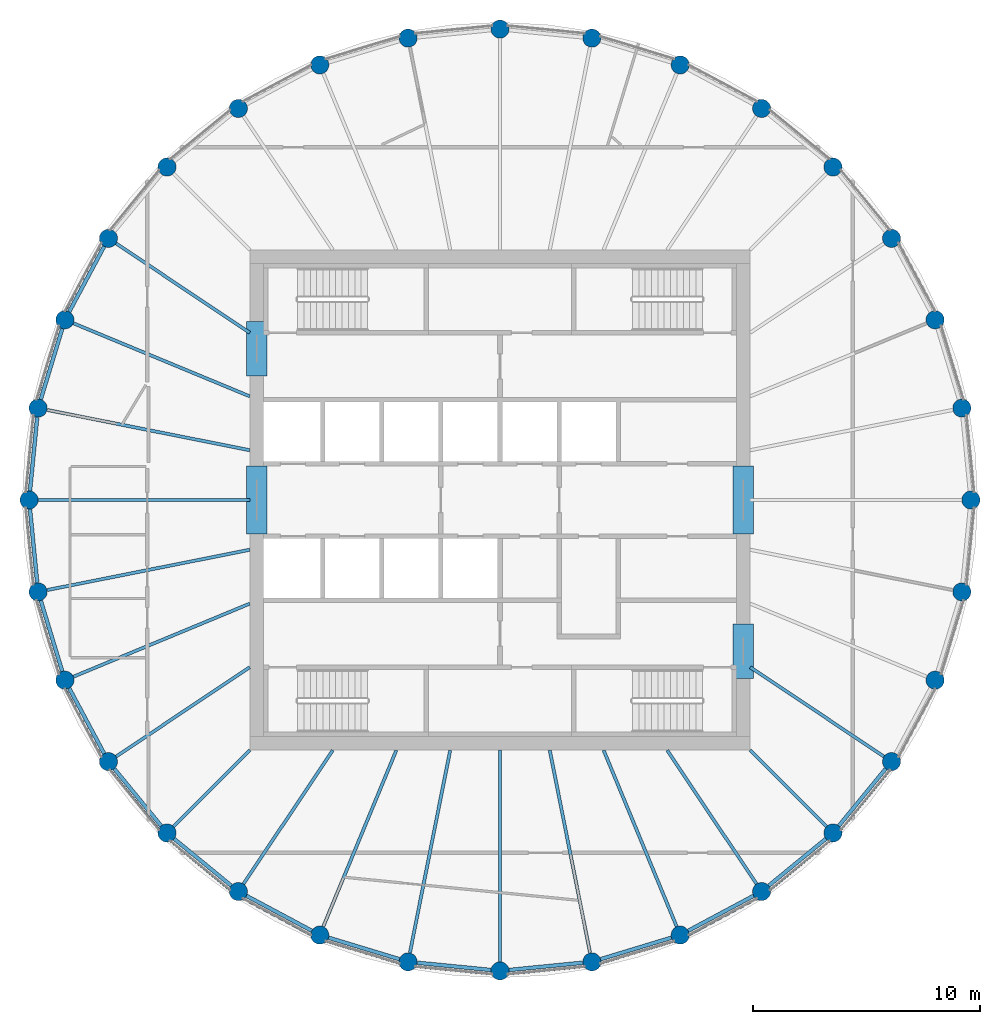
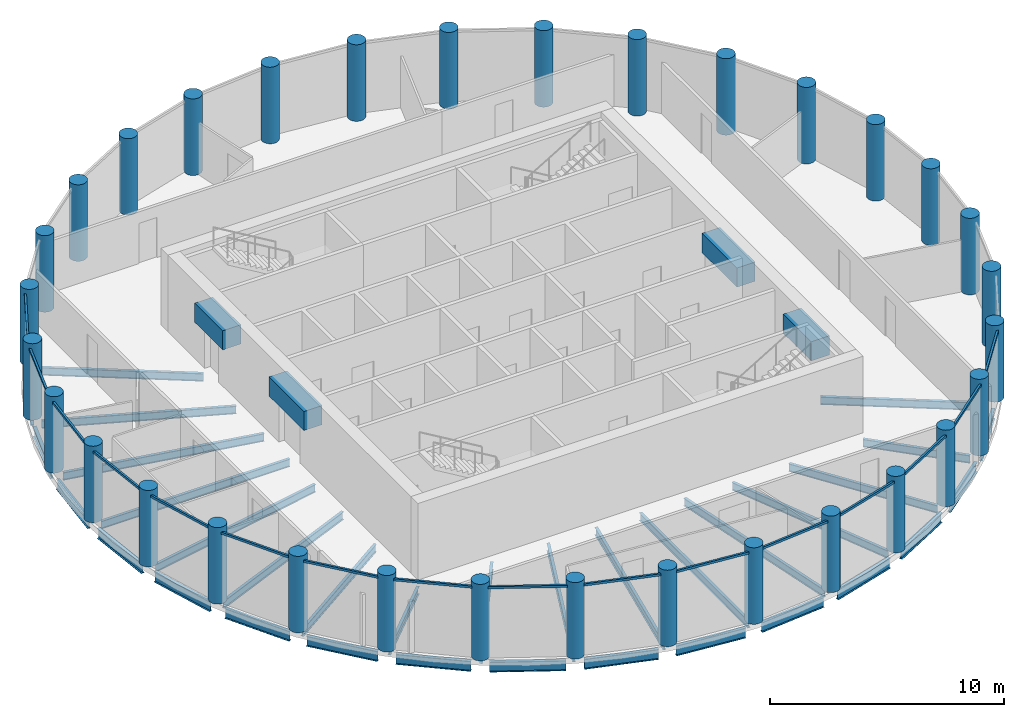
# One storey, part 1 of 7: 37 beams, 32 columns, 16 members, 16 elements without a shape of their own.
"""IFC4 building model written with IfcOpenShell, lengths in metres."""

from ifc_helpers import new_model, si_unit, direction, frame, origin, origin_2d, place, context, subcontext, project, spatial, rectangle, circle, i_section, extrude, material, material_profile, profile_set, type_object, element, aggregate, save


model = new_model("IFC4")

# Units and contexts
model_context = context("Model", 3, precision=1e-05, world=origin(), true_north=direction((0.0, 1.0)))
body_context = subcontext(model_context, "Body", "Model", "MODEL_VIEW")
ifc_project = project(units=[si_unit("LENGTHUNIT", "METRE"), si_unit("AREAUNIT", "SQUARE_METRE"), si_unit("VOLUMEUNIT", "CUBIC_METRE"), si_unit("PLANEANGLEUNIT", "RADIAN"), si_unit("MASSUNIT", "GRAM", prefix="KILO")], contexts=[model_context])

# Site, building, storey
site_placement = place(None, origin())
site = spatial("IfcSite", under=ifc_project, at=site_placement, CompositionType="ELEMENT")
building_placement = place(site_placement, origin())
building = spatial("IfcBuilding", under=site, at=building_placement, Name="Corvane Civic Tower", CompositionType="ELEMENT")
storey_placement = place(building_placement, frame((0.0, 0.0, 328.5)))
storey = spatial("IfcBuildingStorey", under=building, at=storey_placement, Name="L78", CompositionType="ELEMENT", Elevation=328.5)

# Columns
ifc_material_1 = material(Name="Concrete C60/75", Category="concrete")
ifc_material_profile_1 = material_profile(ifc_material_1, circle(Radius=0.39990234375, at=origin_2d()), Name="COLUMN 800")
ifc_profile_set_1 = profile_set([ifc_material_profile_1], Name="Concrete C60/75")
column_type = type_object("IfcColumnType", Name="RC COLUMN COLUMN 800", PredefinedType="COLUMN", material=ifc_profile_set_1)
for number, where, z_axis, x_axis, name in (
    (1, (0.0, 20.699951171875, 0.0), (0.0, 0.0, 1.0), (1.0, 0.0, 0.0), "COL-L78-F01"),
    (2, (4.038330078125, 20.30224609375, 0.0), (0.0, 0.0, 1.0), (1.0, 0.0, 0.0), "COL-L78-F02"),
    (3, (7.921630859375, 19.124267578125, 0.0), (0.0, 0.0, 1.0), (1.0, 0.0, 0.0), "COL-L78-F03"),
    (4, (11.500244140625, 17.21142578125, 0.0), (0.0, 0.0, 1.0), (1.0, 0.0, 0.0), "COL-L78-F04"),
    (5, (14.63720703125, 14.63720703125, 0.0), (0.0, 0.0, 1.0), (1.0, 0.0, 0.0), "COL-L78-F05"),
    (6, (17.21142578125, 11.500244140625, 0.0), (0.0, 0.0, 1.0), (1.0, 0.0, 0.0), "COL-L78-F06"),
    (7, (19.124267578125, 7.921630859375, 0.0), (0.0, 0.0, 1.0), (1.0, 0.0, 0.0), "COL-L78-F07"),
    (8, (20.30224609375, 4.038330078125, 0.0), (0.0, 0.0, 1.0), (1.0, 0.0, 0.0), "COL-L78-F08"),
    (9, (20.699951171875, 0.0, 0.0), (0.0, 0.0, 1.0), (1.0, 0.0, 0.0), "COL-L78-F09"),
    (10, (20.30224609375, -4.038330078125, 0.0), (0.0, 0.0, 1.0), (1.0, 0.0, 0.0), "COL-L78-F10"),
    (11, (19.124267578125, -7.921630859375, 0.0), (0.0, 0.0, 1.0), (1.0, 0.0, 0.0), "COL-L78-F11"),
    (12, (17.21142578125, -11.500244140625, 0.0), (0.0, 0.0, 1.0), (1.0, 0.0, 0.0), "COL-L78-F12"),
    (13, (14.63720703125, -14.63720703125, 0.0), (0.0, 0.0, 1.0), (1.0, 0.0, 0.0), "COL-L78-F13"),
    (14, (11.500244140625, -17.21142578125, 0.0), (0.0, 0.0, 1.0), (1.0, 0.0, 0.0), "COL-L78-F14"),
    (15, (7.921630859375, -19.124267578125, 0.0), (0.0, 0.0, 1.0), (1.0, 0.0, 0.0), "COL-L78-F15"),
    (16, (4.038330078125, -20.30224609375, 0.0), (0.0, 0.0, 1.0), (1.0, 0.0, 0.0), "COL-L78-F16"),
    (17, (0.0, -20.699951171875, 0.0), (0.0, 0.0, 1.0), (1.0, 0.0, 0.0), "COL-L78-F17"),
    (18, (-4.038330078125, -20.30224609375, 0.0), (0.0, 0.0, 1.0), (1.0, 0.0, 0.0), "COL-L78-F18"),
    (19, (-7.921630859375, -19.124267578125, 0.0), (0.0, 0.0, 1.0), (1.0, 0.0, 0.0), "COL-L78-F19"),
    (20, (-11.500244140625, -17.21142578125, 0.0), (0.0, 0.0, 1.0), (1.0, 0.0, 0.0), "COL-L78-F20"),
    (21, (-14.63720703125, -14.63720703125, 0.0), (0.0, 0.0, 1.0), (1.0, 0.0, 0.0), "COL-L78-F21"),
    (22, (-17.21142578125, -11.500244140625, 0.0), (0.0, 0.0, 1.0), (1.0, 0.0, 0.0), "COL-L78-F22"),
    (23, (-19.124267578125, -7.921630859375, 0.0), (0.0, 0.0, 1.0), (1.0, 0.0, 0.0), "COL-L78-F23"),
    (24, (-20.30224609375, -4.038330078125, 0.0), (0.0, 0.0, 1.0), (1.0, 0.0, 0.0), "COL-L78-F24"),
    (25, (-20.699951171875, 0.0, 0.0), (0.0, 0.0, 1.0), (1.0, 0.0, 0.0), "COL-L78-F25"),
    (26, (-20.30224609375, 4.038330078125, 0.0), (0.0, 0.0, 1.0), (1.0, 0.0, 0.0), "COL-L78-F26"),
    (27, (-19.124267578125, 7.921630859375, 0.0), (0.0, 0.0, 1.0), (1.0, 0.0, 0.0), "COL-L78-F27"),
    (28, (-17.21142578125, 11.500244140625, 0.0), (0.0, 0.0, 1.0), (1.0, 0.0, 0.0), "COL-L78-F28"),
    (29, (-14.63720703125, 14.63720703125, 0.0), (0.0, 0.0, 1.0), (1.0, 0.0, 0.0), "COL-L78-F29"),
    (30, (-11.500244140625, 17.21142578125, 0.0), (0.0, 0.0, 1.0), (1.0, 0.0, 0.0), "COL-L78-F30"),
    (31, (-7.921630859375, 19.124267578125, 0.0), (0.0, 0.0, 1.0), (1.0, 0.0, 0.0), "COL-L78-F31"),
    (32, (-4.038330078125, 20.30224609375, 0.0), (0.0, 0.0, 1.0), (1.0, 0.0, 0.0), "COL-L78-F32"),
):
    element("IfcColumn", number, at=place(storey_placement, frame(where, z_axis=z_axis, x_axis=x_axis)), inside=storey, type_object=column_type, Name=name, PredefinedType="COLUMN", context=body_context, shape_type="SweptSolid", body=[
        extrude(circle(Radius=0.39990234375, at=origin_2d()), origin(), (0.0, 0.0, 1.0), 4.0),
    ])

# Beams
ifc_material_2 = material(Name="Concrete C40/50", Category="concrete")
ifc_material_profile_2 = material_profile(ifc_material_2, rectangle(XDim=0.89990234375, YDim=1.0, at=origin_2d()), Name="COUPLING BEAM 900X1000")
ifc_profile_set_2 = profile_set([ifc_material_profile_2], Name="Concrete C40/50")
beam_type_1 = type_object("IfcBeamType", Name="COUPLING BEAM COUPLING BEAM 900X1000", PredefinedType="BEAM", material=ifc_profile_set_2)
for number, where, z_axis, x_axis, name in (
    (33, (-10.699951171875, -1.5, 2.60009765625), (0.0, 1.0, 0.0), (-1.0, 0.0, 0.0), "BM-L78-cpl-CW-LW"),
    (34, (10.699951171875, -1.5, 2.60009765625), (0.0, 1.0, 0.0), (-1.0, 0.0, 0.0), "BM-L78-cpl-CW-LE"),
):
    element("IfcBeam", number, at=place(storey_placement, frame(where, z_axis=z_axis, x_axis=x_axis)), inside=storey, type_object=beam_type_1, Name=name, PredefinedType="BEAM", context=body_context, shape_type="SweptSolid", body=[
        extrude(rectangle(XDim=0.89990234375, YDim=1.0, at=origin_2d()), origin(), (0.0, 0.0, 1.0), 3.0),
    ])
for number, where, z_axis, x_axis, name in (
    (35, (-10.699951171875, 5.449951171875, 2.60009765625), (0.0, 1.0, 0.0), (-1.0, 0.0, 0.0), "BM-L78-cpl-CW-WN"),
    (36, (10.699951171875, -7.85009765625, 2.60009765625), (0.0, 1.0, 0.0), (-1.0, 0.0, 0.0), "BM-L78-cpl-CW-ES"),
):
    element("IfcBeam", number, at=place(storey_placement, frame(where, z_axis=z_axis, x_axis=x_axis)), inside=storey, type_object=beam_type_1, Name=name, PredefinedType="BEAM", context=body_context, shape_type="SweptSolid", body=[
        extrude(rectangle(XDim=0.89990234375, YDim=1.0, at=origin_2d()), origin(), (0.0, 0.0, 1.0), 2.400146484375),
    ])
ifc_material_3 = material(Name="Steel ASTM A992 Gr 50", Category="steel")
ifc_material_profile_3 = material_profile(ifc_material_3, i_section(OverallWidth=0.165771484375, OverallDepth=0.5283203125, WebThickness=0.009765625, FlangeThickness=0.013671875, at=origin_2d()), Name="W21X50")
ifc_profile_set_3 = profile_set([ifc_material_profile_3], Name="Steel ASTM A992 Gr 50")
beam_type_2 = type_object("IfcBeamType", Name="EDGE BEAM W21X50", PredefinedType="BEAM", material=ifc_profile_set_3)
for number, where, z_axis, x_axis, name in (
    (37, (16.957763671875, -11.8095703125, -0.564208984375), (-0.634424551454, -0.772984791903, 0.0), (0.772984791903, -0.634424551454, 0.0), "BM-L78-E12"),
    (38, (14.327880859375, -14.890869140625, -0.564208984375), (-0.772984791903, -0.634424551454, 0.0), (0.634424551454, -0.772984791903, 0.0), "BM-L78-E13"),
    (39, (11.1474609375, -17.39990234375, -0.564208984375), (-0.881894065907, -0.471447618, 0.0), (0.471447618, -0.881894065907, 0.0), "BM-L78-E14"),
    (40, (7.538818359375, -19.240478515625, -0.564208984375), (-0.956955679349, -0.290234091317, 0.0), (0.290234091317, -0.956955679349, 0.0), "BM-L78-E15"),
):
    element("IfcBeam", number, at=place(storey_placement, frame(where, z_axis=z_axis, x_axis=x_axis)), inside=storey, type_object=beam_type_2, Name=name, PredefinedType="BEAM", context=body_context, shape_type="SweptSolid", body=[
        extrude(i_section(OverallWidth=0.165771484375, OverallDepth=0.5283203125, WebThickness=0.009765625, FlangeThickness=0.013671875, at=origin_2d()), origin(), (0.0, 0.0, 1.0), 3.2578125),
    ])
for number, where, z_axis, x_axis, name in (
    (41, (3.640380859375, -20.341552734375, -0.564208984375), (-0.995192503142, -0.097938152369, 0.0), (0.097938152369, -0.995192503142, 0.0), "BM-L78-E16"),
    (42, (-0.39794921875, -20.66064453125, -0.564208984375), (-0.995192503142, 0.097938152369, 0.0), (-0.097938152369, -0.995192503142, 0.0), "BM-L78-E17"),
):
    element("IfcBeam", number, at=place(storey_placement, frame(where, z_axis=z_axis, x_axis=x_axis)), inside=storey, type_object=beam_type_2, Name=name, PredefinedType="BEAM", context=body_context, shape_type="SweptSolid", body=[
        extrude(i_section(OverallWidth=0.165771484375, OverallDepth=0.5283203125, WebThickness=0.009765625, FlangeThickness=0.013671875, at=origin_2d()), origin(), (0.0, 0.0, 1.0), 3.258056640625),
    ])
for number, where, z_axis, x_axis, name in (
    (43, (-4.421142578125, -20.18603515625, -0.564208984375), (-0.956955679349, 0.290234091317, 0.0), (-0.290234091317, -0.956955679349, 0.0), "BM-L78-E18"),
    (44, (-8.2744140625, -18.935791015625, -0.564208984375), (-0.881894065907, 0.471447618, 0.0), (-0.471447618, -0.881894065907, 0.0), "BM-L78-E19"),
    (45, (-11.8095703125, -16.957763671875, -0.564208984375), (-0.772984791903, 0.634424551454, 0.0), (-0.634424551454, -0.772984791903, 0.0), "BM-L78-E20"),
    (46, (-14.890869140625, -14.327880859375, -0.564208984375), (-0.634424551454, 0.772984791903, 0.0), (-0.772984791903, -0.634424551454, 0.0), "BM-L78-E21"),
    (47, (-17.39990234375, -11.1474609375, -0.564208984375), (-0.471447618, 0.881894065907, 0.0), (-0.881894065907, -0.471447618, 0.0), "BM-L78-E22"),
    (48, (-19.240478515625, -7.538818359375, -0.564208984375), (-0.290234091317, 0.956955679349, 0.0), (-0.956955679349, -0.290234091317, 0.0), "BM-L78-E23"),
):
    element("IfcBeam", number, at=place(storey_placement, frame(where, z_axis=z_axis, x_axis=x_axis)), inside=storey, type_object=beam_type_2, Name=name, PredefinedType="BEAM", context=body_context, shape_type="SweptSolid", body=[
        extrude(i_section(OverallWidth=0.165771484375, OverallDepth=0.5283203125, WebThickness=0.009765625, FlangeThickness=0.013671875, at=origin_2d()), origin(), (0.0, 0.0, 1.0), 3.2578125),
    ])
for number, where, z_axis, x_axis, name in (
    (49, (-20.341552734375, -3.640380859375, -0.564208984375), (-0.097938152369, 0.995192503142, 0.0), (-0.995192503142, -0.097938152369, 0.0), "BM-L78-E24"),
    (50, (-20.66064453125, 0.39794921875, -0.564208984375), (0.097938152369, 0.995192503142, 0.0), (-0.995192503142, 0.097938152369, 0.0), "BM-L78-E25"),
):
    element("IfcBeam", number, at=place(storey_placement, frame(where, z_axis=z_axis, x_axis=x_axis)), inside=storey, type_object=beam_type_2, Name=name, PredefinedType="BEAM", context=body_context, shape_type="SweptSolid", body=[
        extrude(i_section(OverallWidth=0.165771484375, OverallDepth=0.5283203125, WebThickness=0.009765625, FlangeThickness=0.013671875, at=origin_2d()), origin(), (0.0, 0.0, 1.0), 3.258056640625),
    ])
for number, where, z_axis, x_axis, name in (
    (51, (-20.18603515625, 4.421142578125, -0.564208984375), (0.290234091317, 0.956955679349, 0.0), (-0.956955679349, 0.290234091317, 0.0), "BM-L78-E26"),
    (52, (-18.935791015625, 8.2744140625, -0.564208984375), (0.471447618, 0.881894065907, 0.0), (-0.881894065907, 0.471447618, 0.0), "BM-L78-E27"),
):
    element("IfcBeam", number, at=place(storey_placement, frame(where, z_axis=z_axis, x_axis=x_axis)), inside=storey, type_object=beam_type_2, Name=name, PredefinedType="BEAM", context=body_context, shape_type="SweptSolid", body=[
        extrude(i_section(OverallWidth=0.165771484375, OverallDepth=0.5283203125, WebThickness=0.009765625, FlangeThickness=0.013671875, at=origin_2d()), origin(), (0.0, 0.0, 1.0), 3.2578125),
    ])
ifc_material_4 = material(Name="Steel ASTM A992 Gr 50", Category="steel")
ifc_material_profile_4 = material_profile(ifc_material_4, i_section(OverallWidth=0.140380859375, OverallDepth=0.40380859375, WebThickness=0.007080078125, FlangeThickness=0.01123046875, at=origin_2d()), Name="W16X31")
ifc_profile_set_4 = profile_set([ifc_material_profile_4], Name="Steel ASTM A992 Gr 50")
beam_type_3 = type_object("IfcBeamType", Name="FLOOR GIRDER W16X31", PredefinedType="BEAM", material=ifc_profile_set_4)
beam_1_placement = place(storey_placement, frame((11.0, -7.349853515625, -0.501953125), z_axis=(0.831465490699, -0.555576401385, 0.0), x_axis=(0.555576401385, 0.831465490699, 0.0)))
element("IfcBeam", 53, at=beam_1_placement, inside=storey, type_object=beam_type_3, Name="BM-L78-G12", PredefinedType="BEAM", context=body_context, shape_type="SweptSolid", body=[
    extrude(i_section(OverallWidth=0.140380859375, OverallDepth=0.40380859375, WebThickness=0.007080078125, FlangeThickness=0.01123046875, at=origin_2d()), origin(), (0.0, 0.0, 1.0), 7.070556640625),
])
beam_2_placement = place(storey_placement, frame((11.0, -11.0, -0.501953125), z_axis=(0.707106781187, -0.707106781187, 0.0), x_axis=(0.707106781187, 0.707106781187, 0.0)))
element("IfcBeam", 54, at=beam_2_placement, inside=storey, type_object=beam_type_3, Name="BM-L78-G13", PredefinedType="BEAM", context=body_context, shape_type="SweptSolid", body=[
    extrude(i_section(OverallWidth=0.140380859375, OverallDepth=0.40380859375, WebThickness=0.007080078125, FlangeThickness=0.01123046875, at=origin_2d()), origin(), (0.0, 0.0, 1.0), 4.74365234375),
])
beam_3_placement = place(storey_placement, frame((7.349853515625, -11.0, -0.501953125), z_axis=(0.555576401385, -0.831465490699, 0.0), x_axis=(0.831465490699, 0.555576401385, 0.0)))
element("IfcBeam", 55, at=beam_3_placement, inside=storey, type_object=beam_type_3, Name="BM-L78-G14", PredefinedType="BEAM", context=body_context, shape_type="SweptSolid", body=[
    extrude(i_section(OverallWidth=0.140380859375, OverallDepth=0.40380859375, WebThickness=0.007080078125, FlangeThickness=0.01123046875, at=origin_2d()), origin(), (0.0, 0.0, 1.0), 7.070556640625),
])
beam_4_placement = place(storey_placement, frame((4.556396484375, -11.0, -0.501953125), z_axis=(0.382691739894, -0.923876091377, 0.0), x_axis=(0.923876091377, 0.382691739894, 0.0)))
element("IfcBeam", 56, at=beam_4_placement, inside=storey, type_object=beam_type_3, Name="BM-L78-G15", PredefinedType="BEAM", context=body_context, shape_type="SweptSolid", body=[
    extrude(i_section(OverallWidth=0.140380859375, OverallDepth=0.40380859375, WebThickness=0.007080078125, FlangeThickness=0.01123046875, at=origin_2d()), origin(), (0.0, 0.0, 1.0), 8.3935546875),
])
beam_5_placement = place(storey_placement, frame((2.18798828125, -11.0, -0.501953125), z_axis=(0.195108241061, -0.980781715913, 0.0), x_axis=(0.980781715913, 0.195108241061, 0.0)))
element("IfcBeam", 57, at=beam_5_placement, inside=storey, type_object=beam_type_3, Name="BM-L78-G16", PredefinedType="BEAM", context=body_context, shape_type="SweptSolid", body=[
    extrude(i_section(OverallWidth=0.140380859375, OverallDepth=0.40380859375, WebThickness=0.007080078125, FlangeThickness=0.01123046875, at=origin_2d()), origin(), (0.0, 0.0, 1.0), 9.08447265625),
])
beam_6_placement = place(storey_placement, frame((0.0, -11.0, -0.501953125), z_axis=(0.0, -1.0, 0.0), x_axis=(1.0, 0.0, 0.0)))
element("IfcBeam", 58, at=beam_6_placement, inside=storey, type_object=beam_type_3, Name="BM-L78-G17", PredefinedType="BEAM", context=body_context, shape_type="SweptSolid", body=[
    extrude(i_section(OverallWidth=0.140380859375, OverallDepth=0.40380859375, WebThickness=0.007080078125, FlangeThickness=0.01123046875, at=origin_2d()), origin(), (0.0, 0.0, 1.0), 9.300048828125),
])
beam_7_placement = place(storey_placement, frame((-2.18798828125, -11.0, -0.501953125), z_axis=(-0.195108241061, -0.980781715913, 0.0), x_axis=(0.980781715913, -0.195108241061, 0.0)))
element("IfcBeam", 59, at=beam_7_placement, inside=storey, type_object=beam_type_3, Name="BM-L78-G18", PredefinedType="BEAM", context=body_context, shape_type="SweptSolid", body=[
    extrude(i_section(OverallWidth=0.140380859375, OverallDepth=0.40380859375, WebThickness=0.007080078125, FlangeThickness=0.01123046875, at=origin_2d()), origin(), (0.0, 0.0, 1.0), 9.08447265625),
])
beam_8_placement = place(storey_placement, frame((-4.556396484375, -11.0, -0.501953125), z_axis=(-0.382691739894, -0.923876091377, 0.0), x_axis=(0.923876091377, -0.382691739894, 0.0)))
element("IfcBeam", 60, at=beam_8_placement, inside=storey, type_object=beam_type_3, Name="BM-L78-G19", PredefinedType="BEAM", context=body_context, shape_type="SweptSolid", body=[
    extrude(i_section(OverallWidth=0.140380859375, OverallDepth=0.40380859375, WebThickness=0.007080078125, FlangeThickness=0.01123046875, at=origin_2d()), origin(), (0.0, 0.0, 1.0), 8.3935546875),
])
beam_9_placement = place(storey_placement, frame((-7.349853515625, -11.0, -0.501953125), z_axis=(-0.555576401385, -0.831465490699, 0.0), x_axis=(0.831465490699, -0.555576401385, 0.0)))
element("IfcBeam", 61, at=beam_9_placement, inside=storey, type_object=beam_type_3, Name="BM-L78-G20", PredefinedType="BEAM", context=body_context, shape_type="SweptSolid", body=[
    extrude(i_section(OverallWidth=0.140380859375, OverallDepth=0.40380859375, WebThickness=0.007080078125, FlangeThickness=0.01123046875, at=origin_2d()), origin(), (0.0, 0.0, 1.0), 7.070556640625),
])
beam_10_placement = place(storey_placement, frame((-11.0, -11.0, -0.501953125), z_axis=(-0.707106781187, -0.707106781187, 0.0), x_axis=(0.707106781187, -0.707106781187, 0.0)))
element("IfcBeam", 62, at=beam_10_placement, inside=storey, type_object=beam_type_3, Name="BM-L78-G21", PredefinedType="BEAM", context=body_context, shape_type="SweptSolid", body=[
    extrude(i_section(OverallWidth=0.140380859375, OverallDepth=0.40380859375, WebThickness=0.007080078125, FlangeThickness=0.01123046875, at=origin_2d()), origin(), (0.0, 0.0, 1.0), 4.74365234375),
])
beam_11_placement = place(storey_placement, frame((-11.0, -7.349853515625, -0.501953125), z_axis=(-0.831465490699, -0.555576401385, 0.0), x_axis=(0.555576401385, -0.831465490699, 0.0)))
element("IfcBeam", 63, at=beam_11_placement, inside=storey, type_object=beam_type_3, Name="BM-L78-G22", PredefinedType="BEAM", context=body_context, shape_type="SweptSolid", body=[
    extrude(i_section(OverallWidth=0.140380859375, OverallDepth=0.40380859375, WebThickness=0.007080078125, FlangeThickness=0.01123046875, at=origin_2d()), origin(), (0.0, 0.0, 1.0), 7.070556640625),
])
beam_12_placement = place(storey_placement, frame((-11.0, -4.556396484375, -0.501953125), z_axis=(-0.923876091377, -0.382691739894, 0.0), x_axis=(0.382691739894, -0.923876091377, 0.0)))
element("IfcBeam", 64, at=beam_12_placement, inside=storey, type_object=beam_type_3, Name="BM-L78-G23", PredefinedType="BEAM", context=body_context, shape_type="SweptSolid", body=[
    extrude(i_section(OverallWidth=0.140380859375, OverallDepth=0.40380859375, WebThickness=0.007080078125, FlangeThickness=0.01123046875, at=origin_2d()), origin(), (0.0, 0.0, 1.0), 8.3935546875),
])
beam_13_placement = place(storey_placement, frame((-11.0, -2.18798828125, -0.501953125), z_axis=(-0.980781715913, -0.195108241061, 0.0), x_axis=(0.195108241061, -0.980781715913, 0.0)))
element("IfcBeam", 65, at=beam_13_placement, inside=storey, type_object=beam_type_3, Name="BM-L78-G24", PredefinedType="BEAM", context=body_context, shape_type="SweptSolid", body=[
    extrude(i_section(OverallWidth=0.140380859375, OverallDepth=0.40380859375, WebThickness=0.007080078125, FlangeThickness=0.01123046875, at=origin_2d()), origin(), (0.0, 0.0, 1.0), 9.08447265625),
])
beam_14_placement = place(storey_placement, frame((-11.0, 0.0, -0.501953125), z_axis=(-1.0, 0.0, 0.0), x_axis=(0.0, -1.0, 0.0)))
element("IfcBeam", 66, at=beam_14_placement, inside=storey, type_object=beam_type_3, Name="BM-L78-G25", PredefinedType="BEAM", context=body_context, shape_type="SweptSolid", body=[
    extrude(i_section(OverallWidth=0.140380859375, OverallDepth=0.40380859375, WebThickness=0.007080078125, FlangeThickness=0.01123046875, at=origin_2d()), origin(), (0.0, 0.0, 1.0), 9.300048828125),
])
beam_15_placement = place(storey_placement, frame((-11.0, 2.18798828125, -0.501953125), z_axis=(-0.980781715913, 0.195108241061, 0.0), x_axis=(-0.195108241061, -0.980781715913, 0.0)))
element("IfcBeam", 67, at=beam_15_placement, inside=storey, type_object=beam_type_3, Name="BM-L78-G26", PredefinedType="BEAM", context=body_context, shape_type="SweptSolid", body=[
    extrude(i_section(OverallWidth=0.140380859375, OverallDepth=0.40380859375, WebThickness=0.007080078125, FlangeThickness=0.01123046875, at=origin_2d()), origin(), (0.0, 0.0, 1.0), 9.08447265625),
])
beam_16_placement = place(storey_placement, frame((-11.0, 4.556396484375, -0.501953125), z_axis=(-0.923876091377, 0.382691739894, 0.0), x_axis=(-0.382691739894, -0.923876091377, 0.0)))
element("IfcBeam", 68, at=beam_16_placement, inside=storey, type_object=beam_type_3, Name="BM-L78-G27", PredefinedType="BEAM", context=body_context, shape_type="SweptSolid", body=[
    extrude(i_section(OverallWidth=0.140380859375, OverallDepth=0.40380859375, WebThickness=0.007080078125, FlangeThickness=0.01123046875, at=origin_2d()), origin(), (0.0, 0.0, 1.0), 8.3935546875),
])
beam_17_placement = place(storey_placement, frame((-11.0, 7.349853515625, -0.501953125), z_axis=(-0.831465490699, 0.555576401385, 0.0), x_axis=(-0.555576401385, -0.831465490699, 0.0)))
element("IfcBeam", 69, at=beam_17_placement, inside=storey, type_object=beam_type_3, Name="BM-L78-G28", PredefinedType="BEAM", context=body_context, shape_type="SweptSolid", body=[
    extrude(i_section(OverallWidth=0.140380859375, OverallDepth=0.40380859375, WebThickness=0.007080078125, FlangeThickness=0.01123046875, at=origin_2d()), origin(), (0.0, 0.0, 1.0), 7.070556640625),
])

# Curtain wall, member
ifc_material_5 = material(Name="Anodised aluminium bronze", Category="aluminium")
curtain_wall_type = type_object("IfcCurtainWallType", Name="TOWER CW-T3 STICK CURTAIN WALL", PredefinedType="NOTDEFINED", material=ifc_material_5)
curtain_wall_1_placement = place(storey_placement, origin())
curtain_wall_1 = element("IfcCurtainWall", 70, at=curtain_wall_1_placement, inside=storey, type_object=curtain_wall_type, Name="Curtain wall CW-T3 L78 bay 12", PredefinedType="NOTDEFINED")
ifc_material_6 = material(Name="Anodised aluminium bronze", Category="aluminium")
ifc_material_profile_5 = material_profile(ifc_material_6, rectangle(XDim=0.10009765625, YDim=0.1201171875, at=origin_2d()), Name="TOWER CW-T3 TRANSOM 100x120")
ifc_profile_set_5 = profile_set([ifc_material_profile_5], Name="Anodised aluminium bronze")
member_type = type_object("IfcMemberType", Name="TOWER CW-T3 TRANSOM 100x120", PredefinedType="USERDEFINED", material=ifc_profile_set_5)
member_1_placement = place(storey_placement, frame((17.14208984375, -11.8671875, 3.68994140625), z_axis=(-0.634393571736, -0.773010217358, 0.0), x_axis=(0.773010217358, -0.634393571736, 0.0)))
member_1 = element("IfcMember", 71, at=member_1_placement, type_object=member_type, Name="Transom CW-T3 L78 12.1", ObjectType="TRANSOM", PredefinedType="USERDEFINED", context=body_context, shape_type="SweptSolid", body=[
    extrude(rectangle(XDim=0.10009765625, YDim=0.1201171875, at=origin_2d()), origin(), (0.0, 0.0, 1.0), 3.40283203125),
])
aggregate(curtain_wall_1, [member_1])

curtain_wall_2_placement = place(storey_placement, origin())
curtain_wall_2 = element("IfcCurtainWall", 72, at=curtain_wall_2_placement, inside=storey, type_object=curtain_wall_type, Name="Curtain wall CW-T3 L78 bay 13", PredefinedType="NOTDEFINED")
member_2_placement = place(storey_placement, frame((14.49755859375, -14.9833984375, 3.68994140625), z_axis=(-0.773010217358, -0.634393571736, 0.0), x_axis=(0.634393571736, -0.773010217358, 0.0)))
member_2 = element("IfcMember", 73, at=member_2_placement, type_object=member_type, Name="Transom CW-T3 L78 13.1", ObjectType="TRANSOM", PredefinedType="USERDEFINED", context=body_context, shape_type="SweptSolid", body=[
    extrude(rectangle(XDim=0.10009765625, YDim=0.1201171875, at=origin_2d()), origin(), (0.0, 0.0, 1.0), 3.40283203125),
])
aggregate(curtain_wall_2, [member_2])

curtain_wall_3_placement = place(storey_placement, origin())
curtain_wall_3 = element("IfcCurtainWall", 74, at=curtain_wall_3_placement, inside=storey, type_object=curtain_wall_type, Name="Curtain wall CW-T3 L78 bay 14", PredefinedType="NOTDEFINED")
member_3_placement = place(storey_placement, frame((11.295654296875, -17.52392578125, 3.68994140625), z_axis=(-0.881941440444, -0.471358988063, 0.0), x_axis=(0.471358988063, -0.881941440444, 0.0)))
member_3 = element("IfcMember", 75, at=member_3_placement, type_object=member_type, Name="Transom CW-T3 L78 14.1", ObjectType="TRANSOM", PredefinedType="USERDEFINED", context=body_context, shape_type="SweptSolid", body=[
    extrude(rectangle(XDim=0.10009765625, YDim=0.1201171875, at=origin_2d()), origin(), (0.0, 0.0, 1.0), 3.40234375),
])
aggregate(curtain_wall_3, [member_3])

curtain_wall_4_placement = place(storey_placement, origin())
curtain_wall_4 = element("IfcCurtainWall", 76, at=curtain_wall_4_placement, inside=storey, type_object=curtain_wall_type, Name="Curtain wall CW-T3 L78 bay 15", PredefinedType="NOTDEFINED")
member_4_placement = place(storey_placement, frame((7.66015625, -19.390869140625, 3.68994140625), z_axis=(-0.956961022204, -0.290216474345, 0.0), x_axis=(0.290216474345, -0.956961022204, 0.0)))
member_4 = element("IfcMember", 77, at=member_4_placement, type_object=member_type, Name="Transom CW-T3 L78 15.1", ObjectType="TRANSOM", PredefinedType="USERDEFINED", context=body_context, shape_type="SweptSolid", body=[
    extrude(rectangle(XDim=0.10009765625, YDim=0.1201171875, at=origin_2d()), origin(), (0.0, 0.0, 1.0), 3.40283203125),
])
aggregate(curtain_wall_4, [member_4])

curtain_wall_5_placement = place(storey_placement, origin())
curtain_wall_5 = element("IfcCurtainWall", 78, at=curtain_wall_5_placement, inside=storey, type_object=curtain_wall_type, Name="Curtain wall CW-T3 L78 bay 16", PredefinedType="NOTDEFINED")
member_5_placement = place(storey_placement, frame((3.729736328125, -20.5126953125, 3.68994140625), z_axis=(-0.995191564676, -0.097947688066, 0.0), x_axis=(0.097947688066, -0.995191564676, 0.0)))
member_5 = element("IfcMember", 79, at=member_5_placement, type_object=member_type, Name="Transom CW-T3 L78 16.1", ObjectType="TRANSOM", PredefinedType="USERDEFINED", context=body_context, shape_type="SweptSolid", body=[
    extrude(rectangle(XDim=0.10009765625, YDim=0.1201171875, at=origin_2d()), origin(), (0.0, 0.0, 1.0), 3.40234375),
])
aggregate(curtain_wall_5, [member_5])

curtain_wall_6_placement = place(storey_placement, origin())
curtain_wall_6 = element("IfcCurtainWall", 80, at=curtain_wall_6_placement, inside=storey, type_object=curtain_wall_type, Name="Curtain wall CW-T3 L78 bay 17", PredefinedType="NOTDEFINED")
member_6_placement = place(storey_placement, frame((-0.34375, -20.845947265625, 3.68994140625), z_axis=(-0.995191564676, 0.097947688066, 0.0), x_axis=(-0.097947688066, -0.995191564676, 0.0)))
member_6 = element("IfcMember", 81, at=member_6_placement, type_object=member_type, Name="Transom CW-T3 L78 17.1", ObjectType="TRANSOM", PredefinedType="USERDEFINED", context=body_context, shape_type="SweptSolid", body=[
    extrude(rectangle(XDim=0.10009765625, YDim=0.1201171875, at=origin_2d()), origin(), (0.0, 0.0, 1.0), 3.40234375),
])
aggregate(curtain_wall_6, [member_6])

curtain_wall_7_placement = place(storey_placement, origin())
curtain_wall_7 = element("IfcCurtainWall", 82, at=curtain_wall_7_placement, inside=storey, type_object=curtain_wall_type, Name="Curtain wall CW-T3 L78 bay 18", PredefinedType="NOTDEFINED")
member_7_placement = place(storey_placement, frame((-4.40380859375, -20.37841796875, 3.68994140625), z_axis=(-0.956961022204, 0.290216474345, 0.0), x_axis=(-0.290216474345, -0.956961022204, 0.0)))
member_7 = element("IfcMember", 83, at=member_7_placement, type_object=member_type, Name="Transom CW-T3 L78 18.1", ObjectType="TRANSOM", PredefinedType="USERDEFINED", context=body_context, shape_type="SweptSolid", body=[
    extrude(rectangle(XDim=0.10009765625, YDim=0.1201171875, at=origin_2d()), origin(), (0.0, 0.0, 1.0), 3.40283203125),
])
aggregate(curtain_wall_7, [member_7])

curtain_wall_8_placement = place(storey_placement, origin())
curtain_wall_8 = element("IfcCurtainWall", 84, at=curtain_wall_8_placement, inside=storey, type_object=curtain_wall_type, Name="Curtain wall CW-T3 L78 bay 19", PredefinedType="NOTDEFINED")
member_8_placement = place(storey_placement, frame((-8.294921875, -19.127685546875, 3.68994140625), z_axis=(-0.881941440444, 0.471358988063, 0.0), x_axis=(-0.471358988063, -0.881941440444, 0.0)))
member_8 = element("IfcMember", 85, at=member_8_placement, type_object=member_type, Name="Transom CW-T3 L78 19.1", ObjectType="TRANSOM", PredefinedType="USERDEFINED", context=body_context, shape_type="SweptSolid", body=[
    extrude(rectangle(XDim=0.10009765625, YDim=0.1201171875, at=origin_2d()), origin(), (0.0, 0.0, 1.0), 3.40234375),
])
aggregate(curtain_wall_8, [member_8])

curtain_wall_9_placement = place(storey_placement, origin())
curtain_wall_9 = element("IfcCurtainWall", 86, at=curtain_wall_9_placement, inside=storey, type_object=curtain_wall_type, Name="Curtain wall CW-T3 L78 bay 20", PredefinedType="NOTDEFINED")
member_9_placement = place(storey_placement, frame((-11.8671875, -17.14208984375, 3.68994140625), z_axis=(-0.773010217358, 0.634393571736, 0.0), x_axis=(-0.634393571736, -0.773010217358, 0.0)))
member_9 = element("IfcMember", 87, at=member_9_placement, type_object=member_type, Name="Transom CW-T3 L78 20.1", ObjectType="TRANSOM", PredefinedType="USERDEFINED", context=body_context, shape_type="SweptSolid", body=[
    extrude(rectangle(XDim=0.10009765625, YDim=0.1201171875, at=origin_2d()), origin(), (0.0, 0.0, 1.0), 3.40283203125),
])
aggregate(curtain_wall_9, [member_9])

curtain_wall_10_placement = place(storey_placement, origin())
curtain_wall_10 = element("IfcCurtainWall", 88, at=curtain_wall_10_placement, inside=storey, type_object=curtain_wall_type, Name="Curtain wall CW-T3 L78 bay 21", PredefinedType="NOTDEFINED")
member_10_placement = place(storey_placement, frame((-14.9833984375, -14.49755859375, 3.68994140625), z_axis=(-0.634393571736, 0.773010217358, 0.0), x_axis=(-0.773010217358, -0.634393571736, 0.0)))
member_10 = element("IfcMember", 89, at=member_10_placement, type_object=member_type, Name="Transom CW-T3 L78 21.1", ObjectType="TRANSOM", PredefinedType="USERDEFINED", context=body_context, shape_type="SweptSolid", body=[
    extrude(rectangle(XDim=0.10009765625, YDim=0.1201171875, at=origin_2d()), origin(), (0.0, 0.0, 1.0), 3.40283203125),
])
aggregate(curtain_wall_10, [member_10])

curtain_wall_11_placement = place(storey_placement, origin())
curtain_wall_11 = element("IfcCurtainWall", 90, at=curtain_wall_11_placement, inside=storey, type_object=curtain_wall_type, Name="Curtain wall CW-T3 L78 bay 22", PredefinedType="NOTDEFINED")
member_11_placement = place(storey_placement, frame((-17.52392578125, -11.295654296875, 3.68994140625), z_axis=(-0.471358988063, 0.881941440444, 0.0), x_axis=(-0.881941440444, -0.471358988063, 0.0)))
member_11 = element("IfcMember", 91, at=member_11_placement, type_object=member_type, Name="Transom CW-T3 L78 22.1", ObjectType="TRANSOM", PredefinedType="USERDEFINED", context=body_context, shape_type="SweptSolid", body=[
    extrude(rectangle(XDim=0.10009765625, YDim=0.1201171875, at=origin_2d()), origin(), (0.0, 0.0, 1.0), 3.40234375),
])
aggregate(curtain_wall_11, [member_11])

curtain_wall_12_placement = place(storey_placement, origin())
curtain_wall_12 = element("IfcCurtainWall", 92, at=curtain_wall_12_placement, inside=storey, type_object=curtain_wall_type, Name="Curtain wall CW-T3 L78 bay 23", PredefinedType="NOTDEFINED")
member_12_placement = place(storey_placement, frame((-19.390869140625, -7.66015625, 3.68994140625), z_axis=(-0.290216474345, 0.956961022204, 0.0), x_axis=(-0.956961022204, -0.290216474345, 0.0)))
member_12 = element("IfcMember", 93, at=member_12_placement, type_object=member_type, Name="Transom CW-T3 L78 23.1", ObjectType="TRANSOM", PredefinedType="USERDEFINED", context=body_context, shape_type="SweptSolid", body=[
    extrude(rectangle(XDim=0.10009765625, YDim=0.1201171875, at=origin_2d()), origin(), (0.0, 0.0, 1.0), 3.40283203125),
])
aggregate(curtain_wall_12, [member_12])

curtain_wall_13_placement = place(storey_placement, origin())
curtain_wall_13 = element("IfcCurtainWall", 94, at=curtain_wall_13_placement, inside=storey, type_object=curtain_wall_type, Name="Curtain wall CW-T3 L78 bay 24", PredefinedType="NOTDEFINED")
member_13_placement = place(storey_placement, frame((-20.5126953125, -3.729736328125, 3.68994140625), z_axis=(-0.097947688066, 0.995191564676, 0.0), x_axis=(-0.995191564676, -0.097947688066, 0.0)))
member_13 = element("IfcMember", 95, at=member_13_placement, type_object=member_type, Name="Transom CW-T3 L78 24.1", ObjectType="TRANSOM", PredefinedType="USERDEFINED", context=body_context, shape_type="SweptSolid", body=[
    extrude(rectangle(XDim=0.10009765625, YDim=0.1201171875, at=origin_2d()), origin(), (0.0, 0.0, 1.0), 3.40234375),
])
aggregate(curtain_wall_13, [member_13])

curtain_wall_14_placement = place(storey_placement, origin())
curtain_wall_14 = element("IfcCurtainWall", 96, at=curtain_wall_14_placement, inside=storey, type_object=curtain_wall_type, Name="Curtain wall CW-T3 L78 bay 25", PredefinedType="NOTDEFINED")
member_14_placement = place(storey_placement, frame((-20.845947265625, 0.34375, 3.68994140625), z_axis=(0.097947688066, 0.995191564676, 0.0), x_axis=(-0.995191564676, 0.097947688066, 0.0)))
member_14 = element("IfcMember", 97, at=member_14_placement, type_object=member_type, Name="Transom CW-T3 L78 25.1", ObjectType="TRANSOM", PredefinedType="USERDEFINED", context=body_context, shape_type="SweptSolid", body=[
    extrude(rectangle(XDim=0.10009765625, YDim=0.1201171875, at=origin_2d()), origin(), (0.0, 0.0, 1.0), 3.40234375),
])
aggregate(curtain_wall_14, [member_14])

curtain_wall_15_placement = place(storey_placement, origin())
curtain_wall_15 = element("IfcCurtainWall", 98, at=curtain_wall_15_placement, inside=storey, type_object=curtain_wall_type, Name="Curtain wall CW-T3 L78 bay 26", PredefinedType="NOTDEFINED")
member_15_placement = place(storey_placement, frame((-20.37841796875, 4.40380859375, 3.68994140625), z_axis=(0.290216474345, 0.956961022204, 0.0), x_axis=(-0.956961022204, 0.290216474345, 0.0)))
member_15 = element("IfcMember", 99, at=member_15_placement, type_object=member_type, Name="Transom CW-T3 L78 26.1", ObjectType="TRANSOM", PredefinedType="USERDEFINED", context=body_context, shape_type="SweptSolid", body=[
    extrude(rectangle(XDim=0.10009765625, YDim=0.1201171875, at=origin_2d()), origin(), (0.0, 0.0, 1.0), 3.40283203125),
])
aggregate(curtain_wall_15, [member_15])

curtain_wall_16_placement = place(storey_placement, origin())
curtain_wall_16 = element("IfcCurtainWall", 100, at=curtain_wall_16_placement, inside=storey, type_object=curtain_wall_type, Name="Curtain wall CW-T3 L78 bay 27", PredefinedType="NOTDEFINED")
member_16_placement = place(storey_placement, frame((-19.127685546875, 8.294921875, 3.68994140625), z_axis=(0.471358988063, 0.881941440444, 0.0), x_axis=(-0.881941440444, 0.471358988063, 0.0)))
member_16 = element("IfcMember", 101, at=member_16_placement, type_object=member_type, Name="Transom CW-T3 L78 27.1", ObjectType="TRANSOM", PredefinedType="USERDEFINED", context=body_context, shape_type="SweptSolid", body=[
    extrude(rectangle(XDim=0.10009765625, YDim=0.1201171875, at=origin_2d()), origin(), (0.0, 0.0, 1.0), 3.40234375),
])
aggregate(curtain_wall_16, [member_16])

save(model, "model.ifc")
